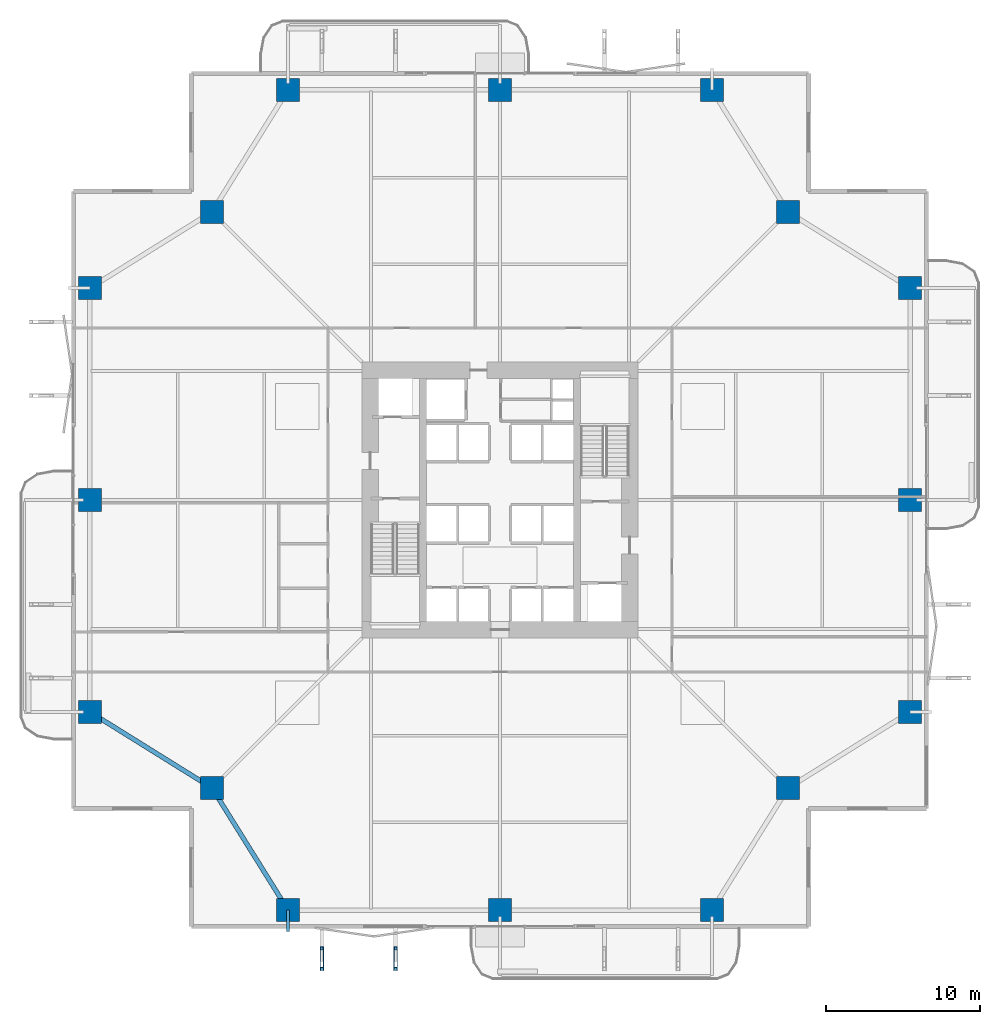
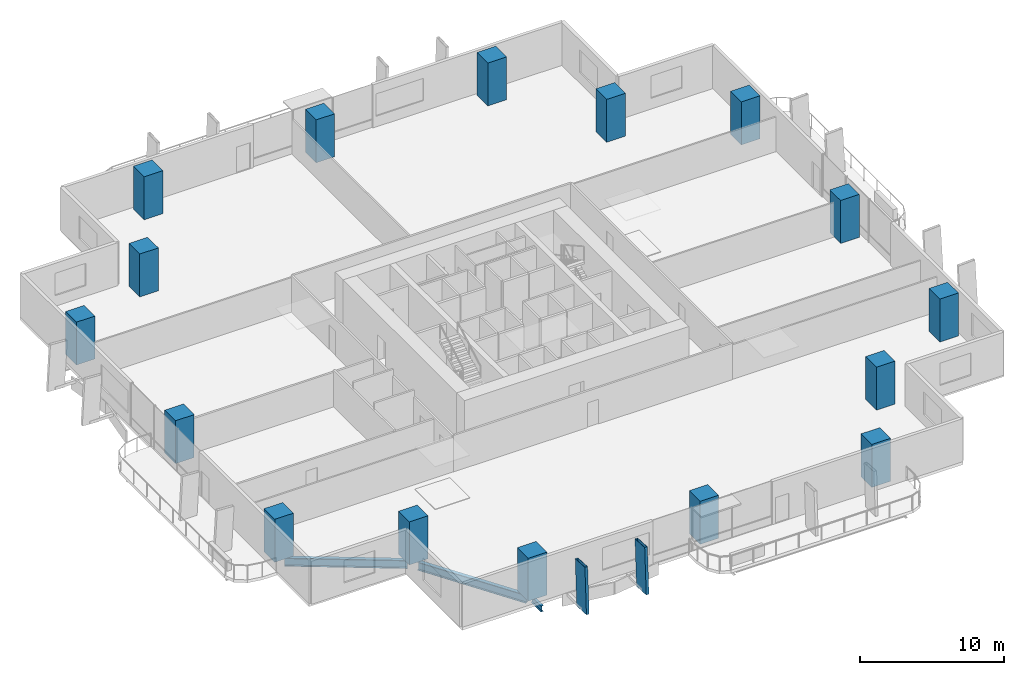
# One storey, part 1 of 23: 16 columns, 3 beams, 2 members.
"""IFC4 building model written with IfcOpenShell, lengths in metres."""

from ifc_helpers import new_model, si_unit, direction, frame, origin, origin_2d, place, context, subcontext, project, spatial, rectangle, hollow_rectangle, i_section, extrude, material, material_profile, profile_set, type_object, element, save


model = new_model("IFC4")

# Units and contexts
model_context = context("Model", 3, precision=1e-05, world=origin(), true_north=direction((0.0, 1.0)))
body_context = subcontext(model_context, "Body", "Model", "MODEL_VIEW")
ifc_project = project(units=[si_unit("LENGTHUNIT", "METRE"), si_unit("AREAUNIT", "SQUARE_METRE"), si_unit("VOLUMEUNIT", "CUBIC_METRE"), si_unit("PLANEANGLEUNIT", "RADIAN"), si_unit("MASSUNIT", "GRAM", prefix="KILO")], contexts=[model_context])

# Site, building, storey
site_placement = place(None, origin())
site = spatial("IfcSite", under=ifc_project, at=site_placement, CompositionType="ELEMENT")
building_placement = place(site_placement, origin())
building = spatial("IfcBuilding", under=site, at=building_placement, Name="Belovzor Exchange Tower", CompositionType="ELEMENT")
storey_placement = place(building_placement, frame((0.0, 0.0, 57.300048828125)))
storey = spatial("IfcBuildingStorey", under=building, at=storey_placement, Name="L13", CompositionType="ELEMENT", Elevation=57.300048828125)

# Columns
ifc_material_1 = material(Name="Concrete C60/75", Category="concrete")
ifc_material_profile_1 = material_profile(ifc_material_1, rectangle(XDim=1.5, YDim=1.5, at=origin_2d()))
ifc_profile_set_1 = profile_set([ifc_material_profile_1], Name="Concrete C60/75")
column_type = type_object("IfcColumnType", Name="Reinforced Concrete Tower Column 1500x1500", PredefinedType="COLUMN", material=ifc_profile_set_1)
for number, where, z_axis, x_axis, name in (
    (1, (15.0, 2.10009765625, 0.0029296875), (0.0, 0.0, 1.0), (1.0, 0.0, 0.0), "COL-T150 Reinforced Concrete Tower Column 1500x1500"),
    (2, (28.800048828125, 2.10009765625, 0.0029296875), (0.0, 0.0, 1.0), (1.0, 0.0, 0.0), "COL-T150 Reinforced Concrete Tower Column 1500x1500"),
    (3, (42.60009765625, 2.10009765625, 0.0029296875), (0.0, 0.0, 1.0), (1.0, 0.0, 0.0), "COL-T150 Reinforced Concrete Tower Column 1500x1500"),
    (4, (55.5, 15.0, 0.0029296875), (0.0, 0.0, 1.0), (1.0, 0.0, 0.0), "COL-T150 Reinforced Concrete Tower Column 1500x1500"),
    (5, (55.5, 28.800048828125, 0.0029296875), (0.0, 0.0, 1.0), (1.0, 0.0, 0.0), "COL-T150 Reinforced Concrete Tower Column 1500x1500"),
    (6, (55.5, 42.60009765625, 0.0029296875), (0.0, 0.0, 1.0), (1.0, 0.0, 0.0), "COL-T150 Reinforced Concrete Tower Column 1500x1500"),
    (7, (42.60009765625, 55.5, 0.0029296875), (0.0, 0.0, 1.0), (1.0, 0.0, 0.0), "COL-T150 Reinforced Concrete Tower Column 1500x1500"),
    (8, (28.800048828125, 55.5, 0.0029296875), (0.0, 0.0, 1.0), (1.0, 0.0, 0.0), "COL-T150 Reinforced Concrete Tower Column 1500x1500"),
    (9, (15.0, 55.5, 0.0029296875), (0.0, 0.0, 1.0), (1.0, 0.0, 0.0), "COL-T150 Reinforced Concrete Tower Column 1500x1500"),
    (10, (2.10009765625, 42.60009765625, 0.0029296875), (0.0, 0.0, 1.0), (1.0, 0.0, 0.0), "COL-T150 Reinforced Concrete Tower Column 1500x1500"),
    (11, (2.10009765625, 28.800048828125, 0.0029296875), (0.0, 0.0, 1.0), (1.0, 0.0, 0.0), "COL-T150 Reinforced Concrete Tower Column 1500x1500"),
    (12, (2.10009765625, 15.0, 0.0029296875), (0.0, 0.0, 1.0), (1.0, 0.0, 0.0), "COL-T150 Reinforced Concrete Tower Column 1500x1500"),
    (13, (10.050048828125, 10.050048828125, 0.0029296875), (0.0, 0.0, 1.0), (1.0, 0.0, 0.0), "COL-T150 Reinforced Concrete Tower Column 1500x1500"),
    (14, (47.550048828125, 10.050048828125, 0.0029296875), (0.0, 0.0, 1.0), (1.0, 0.0, 0.0), "COL-T150 Reinforced Concrete Tower Column 1500x1500"),
    (15, (47.550048828125, 47.550048828125, 0.0029296875), (0.0, 0.0, 1.0), (1.0, 0.0, 0.0), "COL-T150 Reinforced Concrete Tower Column 1500x1500"),
    (16, (10.050048828125, 47.550048828125, 0.0029296875), (0.0, 0.0, 1.0), (1.0, 0.0, 0.0), "COL-T150 Reinforced Concrete Tower Column 1500x1500"),
):
    element("IfcColumn", number, at=place(storey_placement, frame(where, z_axis=z_axis, x_axis=x_axis)), inside=storey, type_object=column_type, Name=name, PredefinedType="COLUMN", context=body_context, shape_type="SweptSolid", body=[
        extrude(rectangle(XDim=1.5, YDim=1.5, at=origin_2d()), origin(), (0.0, 0.0, 1.0), 3.64404296875),
    ])

# Members
ifc_material_2 = material(Name="Extruded Architectural Terracotta on Steel S355 Carrier", Category="masonry")
ifc_material_profile_2 = material_profile(ifc_material_2, hollow_rectangle(XDim=0.219970703125, YDim=1.35009765625, WallThickness=0.013916015625, at=origin_2d()))
ifc_profile_set_2 = profile_set([ifc_material_profile_2], Name="Extruded Architectural Terracotta on Steel S355 Carrier")
member_type = type_object("IfcMemberType", Name="Base Arc Sweeping Terracotta Pylon Fin 1450", PredefinedType="USERDEFINED", material=ifc_profile_set_2)
for number, where, z_axis, x_axis, name in (
    (17, (17.199951171875, -1.1630859375, -0.25), (0.0, 0.05481915954, 0.998496299316), (-1.0, 0.0, 0.0), "FIN-TC145 Terracotta Facade Fin L13 S1"),
    (18, (22.0, -1.1630859375, -0.25), (0.0, 0.05481915954, 0.998496299316), (-1.0, 0.0, 0.0), "FIN-TC145 Terracotta Facade Fin L13 S2"),
):
    element("IfcMember", number, at=place(storey_placement, frame(where, z_axis=z_axis, x_axis=x_axis)), inside=storey, type_object=member_type, Name=name, ObjectType="FIN", PredefinedType="USERDEFINED", context=body_context, shape_type="SweptSolid", body=[
        extrude(hollow_rectangle(XDim=0.219970703125, YDim=1.35009765625, WallThickness=0.013916015625, at=origin_2d()), origin(), (0.0, 0.0, 1.0), 3.90576171875),
    ])

# Beams
ifc_material_3 = material(Name="Steel S355", Category="steel")
ifc_material_profile_3 = material_profile(ifc_material_3, i_section(OverallWidth=0.199951171875, OverallDepth=0.5, WebThickness=0.01025390625, FlangeThickness=0.01611328125, at=origin_2d()))
ifc_profile_set_3 = profile_set([ifc_material_profile_3], Name="Steel S355")
beam_type_1 = type_object("IfcBeamType", Name="Planted Balcony Cantilever Beam IPE 500", PredefinedType="BEAM", material=ifc_profile_set_3)
beam_placement = place(storey_placement, frame((15.0, 2.10009765625, -0.5), z_axis=(0.0, -1.0, 0.0), x_axis=(1.0, 0.0, 0.0)))
element("IfcBeam", 19, at=beam_placement, inside=storey, type_object=beam_type_1, Name="BC-500 Planted Balcony Cantilever Beam IPE 500", PredefinedType="BEAM", context=body_context, shape_type="SweptSolid", body=[
    extrude(i_section(OverallWidth=0.199951171875, OverallDepth=0.5, WebThickness=0.01025390625, FlangeThickness=0.01611328125, at=origin_2d()), origin(), (0.0, 0.0, 1.0), 1.400146484375),
])
ifc_material_4 = material(Name="Steel S355", Category="steel")
ifc_material_profile_4 = material_profile(ifc_material_4, i_section(OverallWidth=0.300048828125, OverallDepth=0.699951171875, WebThickness=0.01708984375, FlangeThickness=0.031982421875, at=origin_2d()))
ifc_profile_set_4 = profile_set([ifc_material_profile_4], Name="Steel S355")
beam_type_2 = type_object("IfcBeamType", Name="Zone 1 Primary Perimeter Girder HEB 700", PredefinedType="BEAM", material=ifc_profile_set_4)
for number, where, z_axis, x_axis, name in (
    (20, (10.26806640625, 9.699951171875, -0.60009765625), (0.528538629686, -0.848909251292, 0.0), (0.848909251292, 0.528538629686, 0.0), "FG-Z1 Zone 1 Primary Perimeter Girder HEB 700"),
    (21, (2.449951171875, 14.781982421875, -0.60009765625), (0.848909251292, -0.528538629686, 0.0), (0.528538629686, 0.848909251292, 0.0), "FG-Z1 Zone 1 Primary Perimeter Girder HEB 700"),
):
    element("IfcBeam", number, at=place(storey_placement, frame(where, z_axis=z_axis, x_axis=x_axis)), inside=storey, type_object=beam_type_2, Name=name, PredefinedType="BEAM", context=body_context, shape_type="SweptSolid", body=[
        extrude(i_section(OverallWidth=0.300048828125, OverallDepth=0.699951171875, WebThickness=0.01708984375, FlangeThickness=0.031982421875, at=origin_2d()), origin(), (0.0, 0.0, 1.0), 8.540283203125),
    ])

save(model, "model.ifc")
